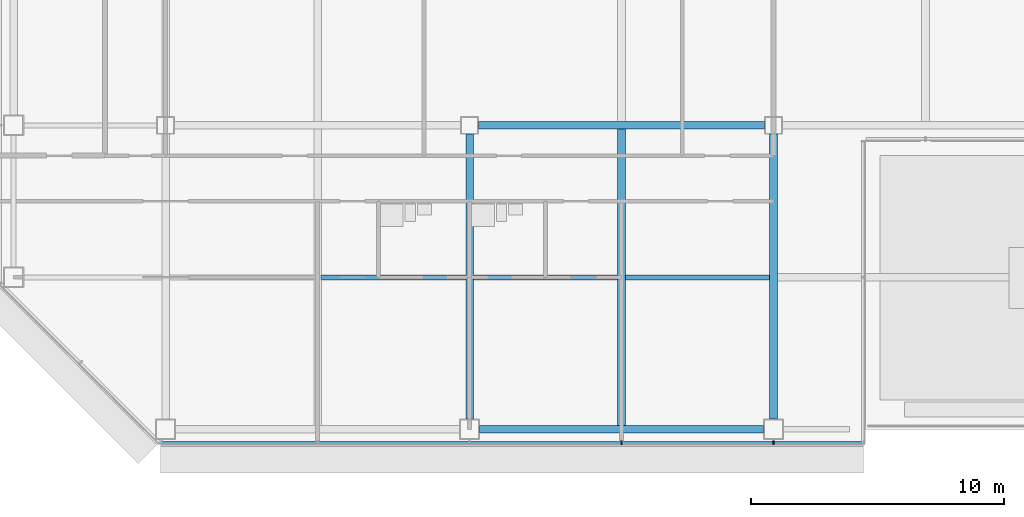
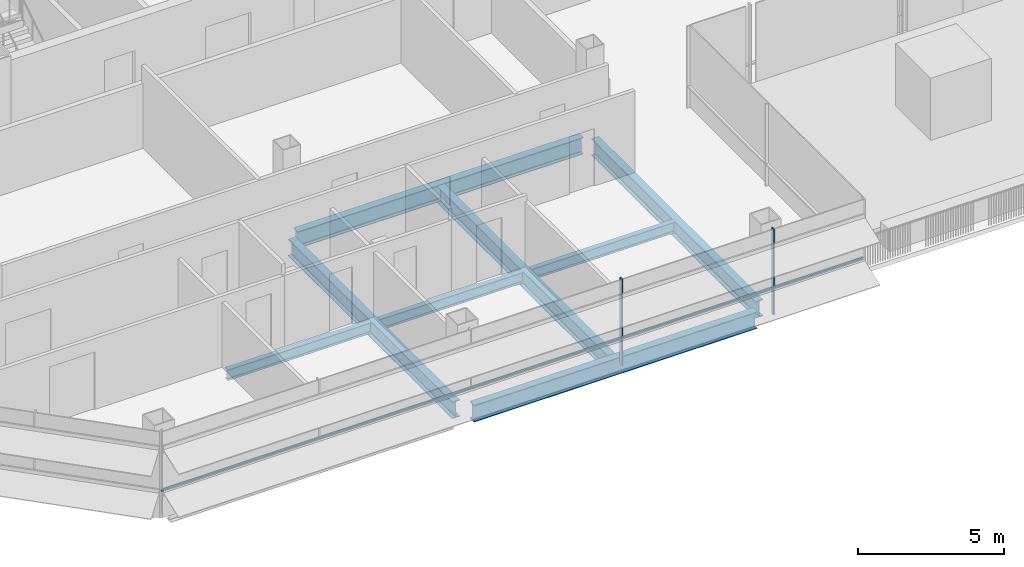
# One storey, part 3 of 26: 8 beams, 3 members, 1 element without a shape of its own.
"""IFC4 building model written with IfcOpenShell, lengths in metres."""

from ifc_helpers import new_model, si_unit, direction, frame, origin, origin_2d, place, context, subcontext, project, spatial, rectangle, i_section, extrude, material, material_profile, profile_set, type_object, element, aggregate, save


model = new_model("IFC4")

# Units and contexts
model_context = context("Model", 3, precision=1e-05, world=origin(), true_north=direction((0.0, 1.0)))
body_context = subcontext(model_context, "Body", "Model", "MODEL_VIEW")
ifc_project = project(units=[si_unit("LENGTHUNIT", "METRE"), si_unit("AREAUNIT", "SQUARE_METRE"), si_unit("VOLUMEUNIT", "CUBIC_METRE"), si_unit("PLANEANGLEUNIT", "RADIAN"), si_unit("MASSUNIT", "GRAM", prefix="KILO")], contexts=[model_context])

# Site, building, storey
site_placement = place(None, origin())
site = spatial("IfcSite", under=ifc_project, at=site_placement, CompositionType="ELEMENT")
building_placement = place(site_placement, origin())
building = spatial("IfcBuilding", under=site, at=building_placement, Name="Sorahane Residences", CompositionType="ELEMENT")
storey_placement = place(building_placement, frame((0.0, 0.0, 103.39990234375)))
storey = spatial("IfcBuildingStorey", under=building, at=storey_placement, Name="L22", CompositionType="ELEMENT", Elevation=103.39990234375)

# Curtain wall, members
ifc_material_1 = material(Name="Dark low-e glass and black anodised aluminium", Category="aluminium")
curtain_wall_type = type_object("IfcCurtainWallType", Name="Curtain wall CW-1 Typical unitised wall", PredefinedType="NOTDEFINED", material=ifc_material_1)
curtain_wall_placement = place(storey_placement, origin())
curtain_wall = element("IfcCurtainWall", 1, at=curtain_wall_placement, inside=storey, type_object=curtain_wall_type, Name="CW-1 curtain wall L22 S1", PredefinedType="NOTDEFINED")
ifc_material_2 = material(Name="Black anodised aluminium", Category="aluminium")
ifc_material_profile_1 = material_profile(ifc_material_2, rectangle(XDim=0.159912109375, YDim=0.050048828125, at=origin_2d()), Name="Curtain wall mullion CW-1 black anodised aluminium 50x160")
ifc_profile_set_1 = profile_set([ifc_material_profile_1], Name="Black anodised aluminium")
member_type_1 = type_object("IfcMemberType", Name="Curtain wall mullion CW-1 black anodised aluminium 50x160", PredefinedType="MULLION", material=ifc_profile_set_1)
member_1_placement = place(storey_placement, frame((18.0, -0.5400390625, -0.179931640625), z_axis=(0.0, 0.0, 1.0), x_axis=(0.0, -1.0, 0.0)))
member_1 = element("IfcMember", 2, at=member_1_placement, type_object=member_type_1, Name="CW-1 mullion L22 S1.4", PredefinedType="MULLION", context=body_context, shape_type="SweptSolid", body=[
    extrude(rectangle(XDim=0.159912109375, YDim=0.050048828125, at=origin_2d()), origin(), (0.0, 0.0, 1.0), 3.60009765625),
])
member_2_placement = place(storey_placement, frame((24.0, -0.5400390625, -0.179931640625), z_axis=(0.0, 0.0, 1.0), x_axis=(0.0, -1.0, 0.0)))
member_2 = element("IfcMember", 3, at=member_2_placement, type_object=member_type_1, Name="CW-1 mullion L22 S1.5", PredefinedType="MULLION", context=body_context, shape_type="SweptSolid", body=[
    extrude(rectangle(XDim=0.159912109375, YDim=0.050048828125, at=origin_2d()), origin(), (0.0, 0.0, 1.0), 3.60009765625),
])
ifc_material_3 = material(Name="Black anodised aluminium", Category="aluminium")
ifc_material_profile_2 = material_profile(ifc_material_3, rectangle(XDim=0.10009765625, YDim=0.06005859375, at=origin_2d()), Name="Curtain wall transom CW-1 black anodised aluminium 60x100")
ifc_profile_set_2 = profile_set([ifc_material_profile_2], Name="Black anodised aluminium")
member_type_2 = type_object("IfcMemberType", Name="Curtain wall transom CW-1 black anodised aluminium 60x100", PredefinedType="USERDEFINED", material=ifc_profile_set_2)
member_3_placement = place(storey_placement, frame((-0.198486328125, -0.530029296875, 0.900146484375), z_axis=(1.0, 0.0, 0.0), x_axis=(0.0, 1.0, 0.0)))
member_3 = element("IfcMember", 4, at=member_3_placement, type_object=member_type_2, Name="CW-1 transom L22 S1", ObjectType="TRANSOM", PredefinedType="USERDEFINED", context=body_context, shape_type="SweptSolid", body=[
    extrude(rectangle(XDim=0.10009765625, YDim=0.06005859375, at=origin_2d()), origin(), (0.0, 0.0, 1.0), 27.74853515625),
])
aggregate(curtain_wall, [member_1, member_2, member_3])

# Beams
ifc_material_4 = material(Name="Steel Q355B", Category="steel")
ifc_material_profile_3 = material_profile(ifc_material_4, i_section(OverallWidth=0.199951171875, OverallDepth=0.449951171875, WebThickness=0.009033203125, FlangeThickness=0.013916015625, FilletRadius=0.02001953125, at=origin_2d()), Name="HN 450x200x9x14")
ifc_profile_set_3 = profile_set([ifc_material_profile_3], Name="Steel Q355B")
beam_type_1 = type_object("IfcBeamType", Name="Steel floor beam HN 450x200x9x14 Q355B", PredefinedType="BEAM", material=ifc_profile_set_3)
for number, where, z_axis, x_axis, name in (
    (5, (6.14990234375, 6.0, -0.40478515625), (1.0, 0.0, 0.0), (0.0, 1.0, 0.0), "Beam L22 067"),
    (6, (12.14990234375, 6.0, -0.40478515625), (1.0, 0.0, 0.0), (0.0, 1.0, 0.0), "Beam L22 068"),
    (7, (18.14990234375, 6.0, -0.40478515625), (1.0, 0.0, 0.0), (0.0, 1.0, 0.0), "Beam L22 069"),
):
    element("IfcBeam", number, at=place(storey_placement, frame(where, z_axis=z_axis, x_axis=x_axis)), inside=storey, type_object=beam_type_1, Name=name, PredefinedType="BEAM", context=body_context, shape_type="SweptSolid", body=[
        extrude(i_section(OverallWidth=0.199951171875, OverallDepth=0.449951171875, WebThickness=0.009033203125, FlangeThickness=0.013916015625, FilletRadius=0.02001953125, at=origin_2d()), origin(), (0.0, 0.0, 1.0), 5.7001953125),
    ])
ifc_material_5 = material(Name="Steel Q355B", Category="steel")
ifc_material_profile_4 = material_profile(ifc_material_5, i_section(OverallWidth=0.300048828125, OverallDepth=0.699951171875, WebThickness=0.012939453125, FlangeThickness=0.02392578125, FilletRadius=0.028076171875, at=origin_2d()), Name="HN 700x300x13x24")
ifc_profile_set_4 = profile_set([ifc_material_profile_4], Name="Steel Q355B")
beam_type_2 = type_object("IfcBeamType", Name="Steel floor beam HN 700x300x13x24 Q355B", PredefinedType="BEAM", material=ifc_profile_set_4)
beam_1_placement = place(storey_placement, frame((12.39990234375, 0.0, -0.52978515625), z_axis=(1.0, 0.0, 0.0), x_axis=(0.0, 1.0, 0.0)))
element("IfcBeam", 8, at=beam_1_placement, inside=storey, type_object=beam_type_2, Name="Beam L22 001", PredefinedType="BEAM", context=body_context, shape_type="SweptSolid", body=[
    extrude(i_section(OverallWidth=0.300048828125, OverallDepth=0.699951171875, WebThickness=0.012939453125, FlangeThickness=0.02392578125, FilletRadius=0.028076171875, at=origin_2d()), origin(), (0.0, 0.0, 1.0), 11.2001953125),
])
beam_2_placement = place(storey_placement, frame((12.35009765625, 12.0, -0.52978515625), z_axis=(1.0, 0.0, 0.0), x_axis=(0.0, 1.0, 0.0)))
element("IfcBeam", 9, at=beam_2_placement, inside=storey, type_object=beam_type_2, Name="Beam L22 006", PredefinedType="BEAM", context=body_context, shape_type="SweptSolid", body=[
    extrude(i_section(OverallWidth=0.300048828125, OverallDepth=0.699951171875, WebThickness=0.012939453125, FlangeThickness=0.02392578125, FilletRadius=0.028076171875, at=origin_2d()), origin(), (0.0, 0.0, 1.0), 11.2998046875),
])
beam_3_placement = place(storey_placement, frame((12.0, 0.39990234375, -0.52978515625), z_axis=(0.0, 1.0, 0.0), x_axis=(-1.0, 0.0, 0.0)))
element("IfcBeam", 10, at=beam_3_placement, inside=storey, type_object=beam_type_2, Name="Beam L22 033", PredefinedType="BEAM", context=body_context, shape_type="SweptSolid", body=[
    extrude(i_section(OverallWidth=0.300048828125, OverallDepth=0.699951171875, WebThickness=0.012939453125, FlangeThickness=0.02392578125, FilletRadius=0.028076171875, at=origin_2d()), origin(), (0.0, 0.0, 1.0), 11.25),
])
beam_4_placement = place(storey_placement, frame((18.0, 0.14990234375, -0.52978515625), z_axis=(0.0, 1.0, 0.0), x_axis=(-1.0, 0.0, 0.0)))
element("IfcBeam", 11, at=beam_4_placement, inside=storey, type_object=beam_type_2, Name="Beam L22 035", PredefinedType="BEAM", context=body_context, shape_type="SweptSolid", body=[
    extrude(i_section(OverallWidth=0.300048828125, OverallDepth=0.699951171875, WebThickness=0.012939453125, FlangeThickness=0.02392578125, FilletRadius=0.028076171875, at=origin_2d()), origin(), (0.0, 0.0, 1.0), 11.7001953125),
])
beam_5_placement = place(storey_placement, frame((24.0, 0.39990234375, -0.52978515625), z_axis=(0.0, 1.0, 0.0), x_axis=(-1.0, 0.0, 0.0)))
element("IfcBeam", 12, at=beam_5_placement, inside=storey, type_object=beam_type_2, Name="Beam L22 041", PredefinedType="BEAM", context=body_context, shape_type="SweptSolid", body=[
    extrude(i_section(OverallWidth=0.300048828125, OverallDepth=0.699951171875, WebThickness=0.012939453125, FlangeThickness=0.02392578125, FilletRadius=0.028076171875, at=origin_2d()), origin(), (0.0, 0.0, 1.0), 11.25),
])

save(model, "model.ifc")
